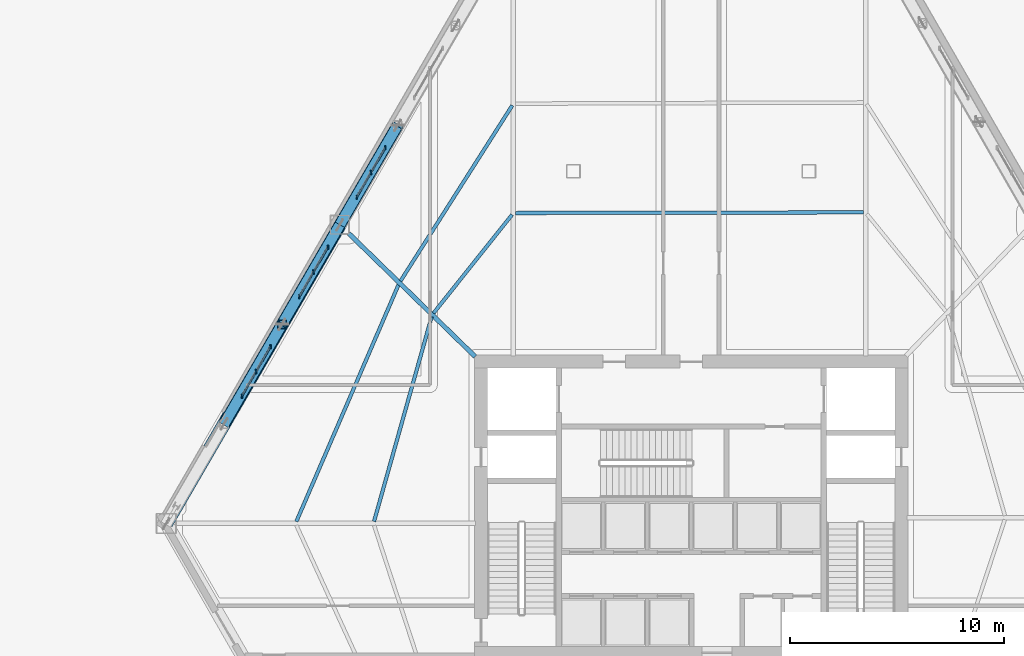
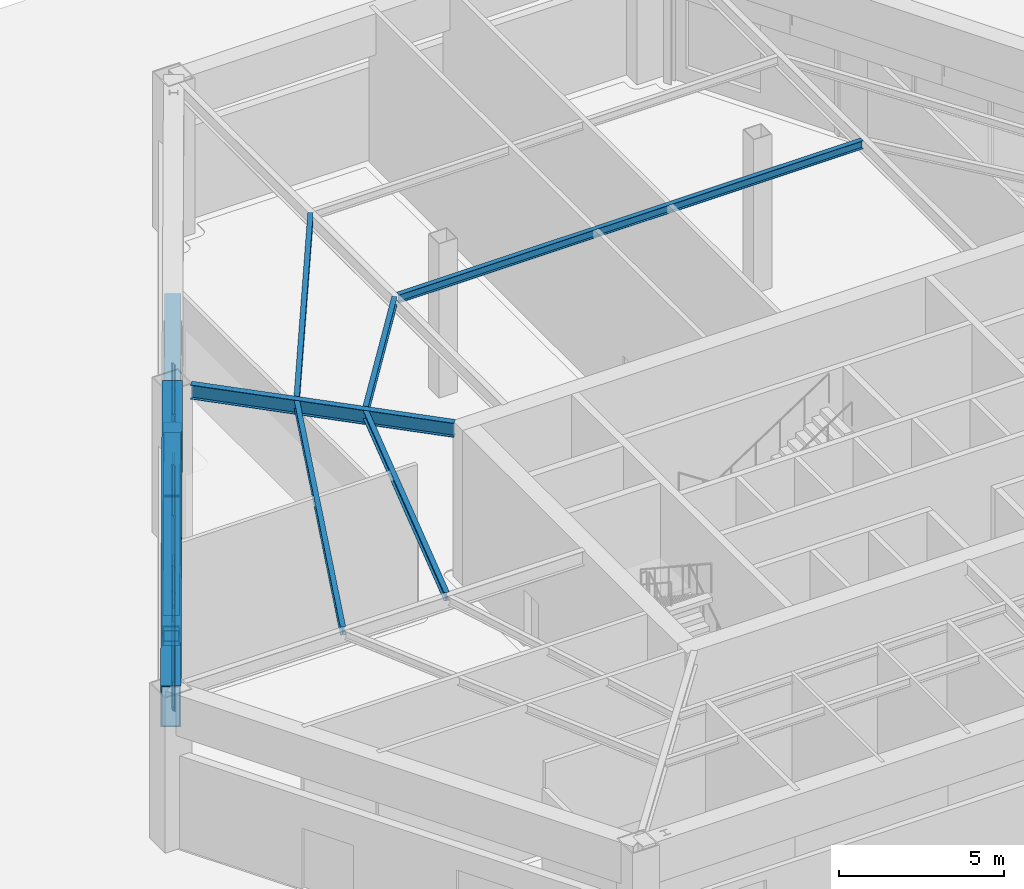
# One storey, part 6 of 20: 19 members, 10 beams, 3 elements without a shape of their own.
"""IFC4 building model written with IfcOpenShell, lengths in metres."""

from ifc_helpers import new_model, si_unit, direction, frame, origin, origin_2d, place, context, subcontext, project, spatial, rectangle, hollow_rectangle, i_section, extrude, material, layer, layer_set, material_profile, profile_set, type_object, element, aggregate, save


model = new_model("IFC4")

# Units and contexts
model_context = context("Model", 3, precision=1e-05, world=origin(), true_north=direction((0.0, 1.0)))
body_context = subcontext(model_context, "Body", "Model", "MODEL_VIEW")
ifc_project = project(units=[si_unit("LENGTHUNIT", "METRE"), si_unit("AREAUNIT", "SQUARE_METRE"), si_unit("VOLUMEUNIT", "CUBIC_METRE"), si_unit("PLANEANGLEUNIT", "RADIAN"), si_unit("MASSUNIT", "GRAM", prefix="KILO")], contexts=[model_context])

# Site, building, storey
site_placement = place(None, origin())
site = spatial("IfcSite", under=ifc_project, at=site_placement, CompositionType="ELEMENT")
building_placement = place(site_placement, origin())
building = spatial("IfcBuilding", under=site, at=building_placement, Name="Kavelnor Concourse Tower", CompositionType="ELEMENT")
storey_placement = place(building_placement, origin())
storey = spatial("IfcBuildingStorey", under=building, at=storey_placement, Name="L00", CompositionType="ELEMENT", Elevation=0.0)

# Beams
ifc_material_1 = material(Name="Steel Grade 350", Category="steel")
ifc_material_profile_1 = material_profile(ifc_material_1, i_section(OverallWidth=0.166015625, OverallDepth=0.306884765625, WebThickness=0.006591796875, FlangeThickness=0.01171875, at=origin_2d()), Name="310UB46")
ifc_profile_set_1 = profile_set([ifc_material_profile_1], Name="Steel Grade 350")
beam_type_1 = type_object("IfcBeamType", Name="BM-JOIST-310", PredefinedType="JOIST", material=ifc_profile_set_1)
beam_1_placement = place(storey_placement, frame((46.046875, 29.87255859375, 5.58642578125), z_axis=(-0.999998293455, -0.001847453965, 0.0), x_axis=(0.001847453965, -0.999998293455, 0.0)))
element("IfcBeam", 1, at=beam_1_placement, inside=storey, type_object=beam_type_1, Name="L00 Composite Floor Joist 07-1", PredefinedType="JOIST", context=body_context, shape_type="SweptSolid", body=[
    extrude(i_section(OverallWidth=0.166015625, OverallDepth=0.306884765625, WebThickness=0.006591796875, FlangeThickness=0.01171875, at=origin_2d()), origin(), (0.0, 0.0, 1.0), 16.25439453125),
])
beam_2_placement = place(storey_placement, frame((29.633544921875, 29.765625, 5.58642578125), z_axis=(-0.623717898065, -0.781649527367, 0.0), x_axis=(0.781649527367, -0.623717898065, 0.0)))
element("IfcBeam", 2, at=beam_2_placement, inside=storey, type_object=beam_type_1, Name="L00 Composite Floor Joist 08-1", PredefinedType="JOIST", context=body_context, shape_type="SweptSolid", body=[
    extrude(i_section(OverallWidth=0.166015625, OverallDepth=0.306884765625, WebThickness=0.006591796875, FlangeThickness=0.01171875, at=origin_2d()), origin(), (0.0, 0.0, 1.0), 5.883544921875),
])
beam_3_placement = place(storey_placement, frame((29.64208984375, 34.86962890625, 5.58642578125), z_axis=(-0.536966474052, -0.843603583293, 0.0), x_axis=(0.843603583293, -0.536966474052, 0.0)))
element("IfcBeam", 3, at=beam_3_placement, inside=storey, type_object=beam_type_1, Name="L00 Composite Floor Joist 08-2", PredefinedType="JOIST", context=body_context, shape_type="SweptSolid", body=[
    extrude(i_section(OverallWidth=0.166015625, OverallDepth=0.306884765625, WebThickness=0.006591796875, FlangeThickness=0.01171875, at=origin_2d()), origin(), (0.0, 0.0, 1.0), 9.72314453125),
])
beam_4_placement = place(storey_placement, frame((25.876220703125, 24.995849609375, 5.58642578125), z_axis=(-0.270934178877, -0.962597875915, 0.0), x_axis=(0.962597875915, -0.270934178877, 0.0)))
element("IfcBeam", 4, at=beam_4_placement, inside=storey, type_object=beam_type_1, Name="L00 Composite Floor Joist 09-1", PredefinedType="JOIST", context=body_context, shape_type="SweptSolid", body=[
    extrude(i_section(OverallWidth=0.166015625, OverallDepth=0.306884765625, WebThickness=0.006591796875, FlangeThickness=0.01171875, at=origin_2d()), origin(), (0.0, 0.0, 1.0), 9.933837890625),
])
beam_5_placement = place(storey_placement, frame((24.329833984375, 26.494384765625, 5.58642578125), z_axis=(-0.396157757057, -0.91818246091, 0.0), x_axis=(0.91818246091, -0.396157757057, 0.0)))
element("IfcBeam", 5, at=beam_5_placement, inside=storey, type_object=beam_type_1, Name="L00 Composite Floor Joist 09-2", PredefinedType="JOIST", context=body_context, shape_type="SweptSolid", body=[
    extrude(i_section(OverallWidth=0.166015625, OverallDepth=0.306884765625, WebThickness=0.006591796875, FlangeThickness=0.01171875, at=origin_2d()), origin(), (0.0, 0.0, 1.0), 12.05126953125),
])
ifc_material_profile_2 = material_profile(ifc_material_1, i_section(OverallWidth=0.208984375, OverallDepth=0.528076171875, WebThickness=0.009521484375, FlangeThickness=0.01318359375, at=origin_2d()), Name="530UB82")
ifc_profile_set_2 = profile_set([ifc_material_profile_2], Name="Steel Grade 350")
beam_type_2 = type_object("IfcBeamType", Name="BM-PRIMARY-530", PredefinedType="BEAM", material=ifc_profile_set_2)
beam_6_placement = place(storey_placement, frame((27.90869140625, 23.135986328125, 5.47607421875), z_axis=(-0.716308596755, 0.697783629942, 0.0), x_axis=(-0.697783629942, -0.716308596755, 0.0)))
element("IfcBeam", 6, at=beam_6_placement, inside=storey, type_object=beam_type_2, Name="L00 Primary Floor Girder MC-F0", PredefinedType="BEAM", context=body_context, shape_type="SweptSolid", body=[
    extrude(i_section(OverallWidth=0.208984375, OverallDepth=0.528076171875, WebThickness=0.009521484375, FlangeThickness=0.01318359375, at=origin_2d()), origin(), (0.0, 0.0, 1.0), 8.23681640625),
])
ifc_material_profile_3 = material_profile(ifc_material_1, hollow_rectangle(XDim=0.550048828125, YDim=0.75, WallThickness=0.034912109375, at=origin_2d()), Name="RHS 750x550x35")
ifc_profile_set_3 = profile_set([ifc_material_profile_3], Name="Steel Grade 350")
beam_type_3 = type_object("IfcBeamType", Name="BM-XFER-CHORD-750", PredefinedType="BEAM", material=ifc_profile_set_3)
for number, where, z_axis, x_axis, name in (
    (7, (24.289794921875, 33.94580078125, 3.81494140625), (-0.502371976263, -0.864651604674, 0.0), (0.864651604674, -0.502371976263, 0.0), "L00 Concourse Transfer Truss Bottom Chord F0-B2"),
    (8, (21.587158203125, 29.294189453125, 3.81494140625), (-0.50233804696, -0.864671317077, 0.0), (0.864671317077, -0.50233804696, 0.0), "L00 Concourse Transfer Truss Bottom Chord F0-B3"),
    (9, (18.884765625, 24.642578125, 3.81494140625), (-0.50233804696, -0.864671317077, 0.0), (0.864671317077, -0.50233804696, 0.0), "L00 Concourse Transfer Truss Bottom Chord F0-B4"),
):
    element("IfcBeam", number, at=place(storey_placement, frame(where, z_axis=z_axis, x_axis=x_axis)), inside=storey, type_object=beam_type_3, Name=name, PredefinedType="BEAM", context=body_context, shape_type="SweptSolid", body=[
        extrude(hollow_rectangle(XDim=0.550048828125, YDim=0.75, WallThickness=0.034912109375, at=origin_2d()), origin(), (0.0, 0.0, 1.0), 5.379638671875),
    ])
ifc_material_profile_4 = material_profile(ifc_material_1, hollow_rectangle(XDim=0.6201171875, YDim=1.52001953125, WallThickness=0.0400390625, at=origin_2d()), Name="RHS 1520x620x40")
ifc_profile_set_4 = profile_set([ifc_material_profile_4], Name="Steel Grade 350")
beam_type_4 = type_object("IfcBeamType", Name="BM-XFER-CHORD-850", PredefinedType="BEAM", material=ifc_profile_set_4)
beam_7_placement = place(storey_placement, frame((21.587158203125, 29.294189453125, 4.97998046875), z_axis=(-0.502349356986, -0.864664746324, 0.0), x_axis=(0.864664746324, -0.502349356986, 0.0)))
element("IfcBeam", 10, at=beam_7_placement, inside=storey, type_object=beam_type_4, Name="L00 Concourse Transfer Truss Top Chord Girder F0-S2", PredefinedType="BEAM", context=body_context, shape_type="SweptSolid", body=[
    extrude(hollow_rectangle(XDim=0.6201171875, YDim=1.52001953125, WallThickness=0.0400390625, at=origin_2d()), origin(), (0.0, 0.0, 1.0), 16.138916015625),
])

# Curtain wall, members
ifc_material_2 = material(Name="Anodised aluminium 6063-T6", Category="aluminium")
ifc_layer = layer(ifc_material_2, 0.199951171875, Name="Anodised aluminium 6063-T6")
ifc_layer_set = layer_set([ifc_layer], Name="Anodised aluminium 6063-T6")
curtain_wall_type = type_object("IfcCurtainWallType", Name="CW-CONCOURSE", PredefinedType="NOTDEFINED", material=ifc_layer_set)
curtain_wall_1_placement = place(storey_placement, origin())
curtain_wall_1 = element("IfcCurtainWall", 11, at=curtain_wall_1_placement, inside=storey, type_object=curtain_wall_type, Name="L00 Street Concourse Shopfront Curtain Wall 2", PredefinedType="NOTDEFINED")
ifc_material_profile_5 = material_profile(ifc_material_2, rectangle(XDim=0.06494140625, YDim=0.199951171875, at=origin_2d()), Name="AL-MULL 65x200")
ifc_profile_set_5 = profile_set([ifc_material_profile_5], Name="Anodised aluminium 6063-T6")
member_type_1 = type_object("IfcMemberType", Name="CW-CONCOURSE-MULL", PredefinedType="MULLION", material=ifc_profile_set_5)
member_1_placement = place(storey_placement, frame((23.710205078125, 32.889404296875, 0.0), z_axis=(0.0, 0.0, 1.0), x_axis=(1.0, 0.0, 0.0)))
member_1 = element("IfcMember", 12, at=member_1_placement, type_object=member_type_1, Name="L00 Street Concourse Shopfront Curtain Wall 2 Mullion 0", PredefinedType="MULLION", context=body_context, shape_type="SweptSolid", body=[
    extrude(rectangle(XDim=0.06494140625, YDim=0.199951171875, at=origin_2d()), origin(), (0.0, 0.0, 1.0), 3.419921875),
])
member_2_placement = place(storey_placement, frame((23.043212890625, 31.734375, 0.0), z_axis=(0.0, 0.0, 1.0), x_axis=(1.0, 0.0, 0.0)))
member_2 = element("IfcMember", 13, at=member_2_placement, type_object=member_type_1, Name="L00 Street Concourse Shopfront Curtain Wall 2 Mullion 1", PredefinedType="MULLION", context=body_context, shape_type="SweptSolid", body=[
    extrude(rectangle(XDim=0.06494140625, YDim=0.199951171875, at=origin_2d()), origin(), (0.0, 0.0, 1.0), 3.419921875),
])
member_3_placement = place(storey_placement, frame((22.37646484375, 30.5791015625, 0.0), z_axis=(0.0, 0.0, 1.0), x_axis=(1.0, 0.0, 0.0)))
member_3 = element("IfcMember", 14, at=member_3_placement, type_object=member_type_1, Name="L00 Street Concourse Shopfront Curtain Wall 2 Mullion 2", PredefinedType="MULLION", context=body_context, shape_type="SweptSolid", body=[
    extrude(rectangle(XDim=0.06494140625, YDim=0.199951171875, at=origin_2d()), origin(), (0.0, 0.0, 1.0), 3.419921875),
])

curtain_wall_2_placement = place(storey_placement, origin())
curtain_wall_2 = element("IfcCurtainWall", 15, at=curtain_wall_2_placement, inside=storey, type_object=curtain_wall_type, Name="L00 Street Concourse Shopfront Curtain Wall 3", PredefinedType="NOTDEFINED")
member_4_placement = place(storey_placement, frame((21.0263671875, 28.240966796875, 0.0), z_axis=(0.0, 0.0, 1.0), x_axis=(1.0, 0.0, 0.0)))
member_4 = element("IfcMember", 16, at=member_4_placement, type_object=member_type_1, Name="L00 Street Concourse Shopfront Curtain Wall 3 Mullion 0", PredefinedType="MULLION", context=body_context, shape_type="SweptSolid", body=[
    extrude(rectangle(XDim=0.06494140625, YDim=0.199951171875, at=origin_2d()), origin(), (0.0, 0.0, 1.0), 3.419921875),
])
member_5_placement = place(storey_placement, frame((20.359619140625, 27.085693359375, 0.0), z_axis=(0.0, 0.0, 1.0), x_axis=(1.0, 0.0, 0.0)))
member_5 = element("IfcMember", 17, at=member_5_placement, type_object=member_type_1, Name="L00 Street Concourse Shopfront Curtain Wall 3 Mullion 1", PredefinedType="MULLION", context=body_context, shape_type="SweptSolid", body=[
    extrude(rectangle(XDim=0.06494140625, YDim=0.199951171875, at=origin_2d()), origin(), (0.0, 0.0, 1.0), 3.419921875),
])
member_6_placement = place(storey_placement, frame((19.692626953125, 25.9306640625, 0.0), z_axis=(0.0, 0.0, 1.0), x_axis=(1.0, 0.0, 0.0)))
member_6 = element("IfcMember", 18, at=member_6_placement, type_object=member_type_1, Name="L00 Street Concourse Shopfront Curtain Wall 3 Mullion 2", PredefinedType="MULLION", context=body_context, shape_type="SweptSolid", body=[
    extrude(rectangle(XDim=0.06494140625, YDim=0.199951171875, at=origin_2d()), origin(), (0.0, 0.0, 1.0), 3.419921875),
])

curtain_wall_3_placement = place(storey_placement, origin())
curtain_wall_3 = element("IfcCurtainWall", 19, at=curtain_wall_3_placement, inside=storey, type_object=curtain_wall_type, Name="L00 Street Concourse Shopfront Curtain Wall 4", PredefinedType="NOTDEFINED")
member_7_placement = place(storey_placement, frame((18.342529296875, 23.59228515625, 0.0), z_axis=(0.0, 0.0, 1.0), x_axis=(1.0, 0.0, 0.0)))
member_7 = element("IfcMember", 20, at=member_7_placement, type_object=member_type_1, Name="L00 Street Concourse Shopfront Curtain Wall 4 Mullion 0", PredefinedType="MULLION", context=body_context, shape_type="SweptSolid", body=[
    extrude(rectangle(XDim=0.06494140625, YDim=0.199951171875, at=origin_2d()), origin(), (0.0, 0.0, 1.0), 3.419921875),
])
member_8_placement = place(storey_placement, frame((17.67578125, 22.437255859375, 0.0), z_axis=(0.0, 0.0, 1.0), x_axis=(1.0, 0.0, 0.0)))
member_8 = element("IfcMember", 21, at=member_8_placement, type_object=member_type_1, Name="L00 Street Concourse Shopfront Curtain Wall 4 Mullion 1", PredefinedType="MULLION", context=body_context, shape_type="SweptSolid", body=[
    extrude(rectangle(XDim=0.06494140625, YDim=0.199951171875, at=origin_2d()), origin(), (0.0, 0.0, 1.0), 3.419921875),
])
member_9_placement = place(storey_placement, frame((17.0087890625, 21.281982421875, 0.0), z_axis=(0.0, 0.0, 1.0), x_axis=(1.0, 0.0, 0.0)))
member_9 = element("IfcMember", 22, at=member_9_placement, type_object=member_type_1, Name="L00 Street Concourse Shopfront Curtain Wall 4 Mullion 2", PredefinedType="MULLION", context=body_context, shape_type="SweptSolid", body=[
    extrude(rectangle(XDim=0.06494140625, YDim=0.199951171875, at=origin_2d()), origin(), (0.0, 0.0, 1.0), 3.419921875),
])

# Member
ifc_material_profile_6 = material_profile(ifc_material_2, rectangle(XDim=0.06494140625, YDim=0.159912109375, at=origin_2d()), Name="AL-TRAN 65x160")
ifc_profile_set_6 = profile_set([ifc_material_profile_6], Name="Anodised aluminium 6063-T6")
member_type_2 = type_object("IfcMemberType", Name="CW-CONCOURSE-TRAN", PredefinedType="USERDEFINED", material=ifc_profile_set_6)
member_10_placement = place(storey_placement, frame((23.710205078125, 32.889404296875, 0.06005859375), z_axis=(-0.499968041424, -0.866043854291, 0.0), x_axis=(0.866043854291, -0.499968041424, 0.0)))
member_10 = element("IfcMember", 23, at=member_10_placement, type_object=member_type_2, Name="L00 Street Concourse Shopfront Curtain Wall 2 Transom 0-BOT", ObjectType="TRANSOM", PredefinedType="USERDEFINED", context=body_context, shape_type="SweptSolid", body=[
    extrude(rectangle(XDim=0.06494140625, YDim=0.159912109375, at=origin_2d()), origin(), (0.0, 0.0, 1.0), 2.667724609375),
])

member_11_placement = place(storey_placement, frame((23.710205078125, 32.889404296875, 3.360107421875), z_axis=(-0.499968041424, -0.866043854291, 0.0), x_axis=(0.866043854291, -0.499968041424, 0.0)))
member_11 = element("IfcMember", 24, at=member_11_placement, type_object=member_type_2, Name="L00 Street Concourse Shopfront Curtain Wall 2 Transom 0-TOP", ObjectType="TRANSOM", PredefinedType="USERDEFINED", context=body_context, shape_type="SweptSolid", body=[
    extrude(rectangle(XDim=0.06494140625, YDim=0.159912109375, at=origin_2d()), origin(), (0.0, 0.0, 1.0), 2.667724609375),
])

aggregate(curtain_wall_1, [member_1, member_2, member_3, member_10, member_11])

member_12_placement = place(storey_placement, frame((21.0263671875, 28.240966796875, 0.06005859375), z_axis=(-0.499968041424, -0.866043854291, 0.0), x_axis=(0.866043854291, -0.499968041424, 0.0)))
member_12 = element("IfcMember", 25, at=member_12_placement, type_object=member_type_2, Name="L00 Street Concourse Shopfront Curtain Wall 3 Transom 0-BOT", ObjectType="TRANSOM", PredefinedType="USERDEFINED", context=body_context, shape_type="SweptSolid", body=[
    extrude(rectangle(XDim=0.06494140625, YDim=0.159912109375, at=origin_2d()), origin(), (0.0, 0.0, 1.0), 2.667724609375),
])

member_13_placement = place(storey_placement, frame((21.0263671875, 28.240966796875, 3.360107421875), z_axis=(-0.499968041424, -0.866043854291, 0.0), x_axis=(0.866043854291, -0.499968041424, 0.0)))
member_13 = element("IfcMember", 26, at=member_13_placement, type_object=member_type_2, Name="L00 Street Concourse Shopfront Curtain Wall 3 Transom 0-TOP", ObjectType="TRANSOM", PredefinedType="USERDEFINED", context=body_context, shape_type="SweptSolid", body=[
    extrude(rectangle(XDim=0.06494140625, YDim=0.159912109375, at=origin_2d()), origin(), (0.0, 0.0, 1.0), 2.667724609375),
])

aggregate(curtain_wall_2, [member_4, member_5, member_6, member_12, member_13])

member_14_placement = place(storey_placement, frame((18.342529296875, 23.59228515625, 0.06005859375), z_axis=(-0.499968041424, -0.866043854291, 0.0), x_axis=(0.866043854291, -0.499968041424, 0.0)))
member_14 = element("IfcMember", 27, at=member_14_placement, type_object=member_type_2, Name="L00 Street Concourse Shopfront Curtain Wall 4 Transom 0-BOT", ObjectType="TRANSOM", PredefinedType="USERDEFINED", context=body_context, shape_type="SweptSolid", body=[
    extrude(rectangle(XDim=0.06494140625, YDim=0.159912109375, at=origin_2d()), origin(), (0.0, 0.0, 1.0), 2.667724609375),
])

member_15_placement = place(storey_placement, frame((18.342529296875, 23.59228515625, 3.360107421875), z_axis=(-0.499968041424, -0.866043854291, 0.0), x_axis=(0.866043854291, -0.499968041424, 0.0)))
member_15 = element("IfcMember", 28, at=member_15_placement, type_object=member_type_2, Name="L00 Street Concourse Shopfront Curtain Wall 4 Transom 0-TOP", ObjectType="TRANSOM", PredefinedType="USERDEFINED", context=body_context, shape_type="SweptSolid", body=[
    extrude(rectangle(XDim=0.06494140625, YDim=0.159912109375, at=origin_2d()), origin(), (0.0, 0.0, 1.0), 2.667724609375),
])

aggregate(curtain_wall_3, [member_7, member_8, member_9, member_14, member_15])

# Members
ifc_material_profile_7 = material_profile(ifc_material_1, hollow_rectangle(XDim=0.5, YDim=0.5, WallThickness=0.031982421875, at=origin_2d()), Name="SHS 500x500x32")
ifc_profile_set_7 = profile_set([ifc_material_profile_7], Name="Steel Grade 350")
member_type_3 = type_object("IfcMemberType", Name="MBR-XFER-DIAG-500", PredefinedType="BRACE", material=ifc_profile_set_7)
for number, where, z_axis, x_axis, name in (
    (29, (21.587158203125, 29.294189453125, 3.81494140625), (0.49099059447, 0.845062673572, 0.211653759423), (-0.864651604674, 0.502371976263, 0.0), "L00 Concourse Transfer Truss Diagonal F0-B2"),
    (30, (21.587158203125, 29.294189453125, 3.81494140625), (-0.490956932429, -0.8450810763, 0.211658368556), (0.864671317077, -0.50233804696, 0.0), "L00 Concourse Transfer Truss Diagonal F0-B3"),
    (31, (16.182373046875, 19.990966796875, 3.81494140625), (0.490956932429, 0.8450810763, 0.211658368556), (-0.864671317077, 0.50233804696, 0.0), "L00 Concourse Transfer Truss Diagonal F0-B4"),
):
    element("IfcMember", number, at=place(storey_placement, frame(where, z_axis=z_axis, x_axis=x_axis)), inside=storey, type_object=member_type_3, Name=name, PredefinedType="BRACE", context=body_context, shape_type="SweptSolid", body=[
        extrude(hollow_rectangle(XDim=0.5, YDim=0.5, WallThickness=0.031982421875, at=origin_2d()), origin(), (0.0, 0.0, 1.0), 5.50439453125),
    ])
ifc_material_profile_8 = material_profile(ifc_material_1, hollow_rectangle(XDim=0.419921875, YDim=0.419921875, WallThickness=0.028076171875, at=origin_2d()), Name="SHS 420x420x28")
ifc_profile_set_8 = profile_set([ifc_material_profile_8], Name="Steel Grade 350")
member_type_4 = type_object("IfcMemberType", Name="MBR-XFER-POST-420", PredefinedType="CHORD", material=ifc_profile_set_8)
member_16_placement = place(storey_placement, frame((18.884765625, 24.642578125, 3.81494140625), z_axis=(0.0, 0.0, 1.0), x_axis=(1.0, 0.0, 0.0)))
element("IfcMember", 32, at=member_16_placement, inside=storey, type_object=member_type_4, Name="L00 Concourse Transfer Truss Web Post F0-B4", PredefinedType="CHORD", context=body_context, shape_type="SweptSolid", body=[
    extrude(hollow_rectangle(XDim=0.419921875, YDim=0.419921875, WallThickness=0.028076171875, at=origin_2d()), origin(), (0.0, 0.0, 1.0), 1.1650390625),
])

save(model, "model.ifc")
